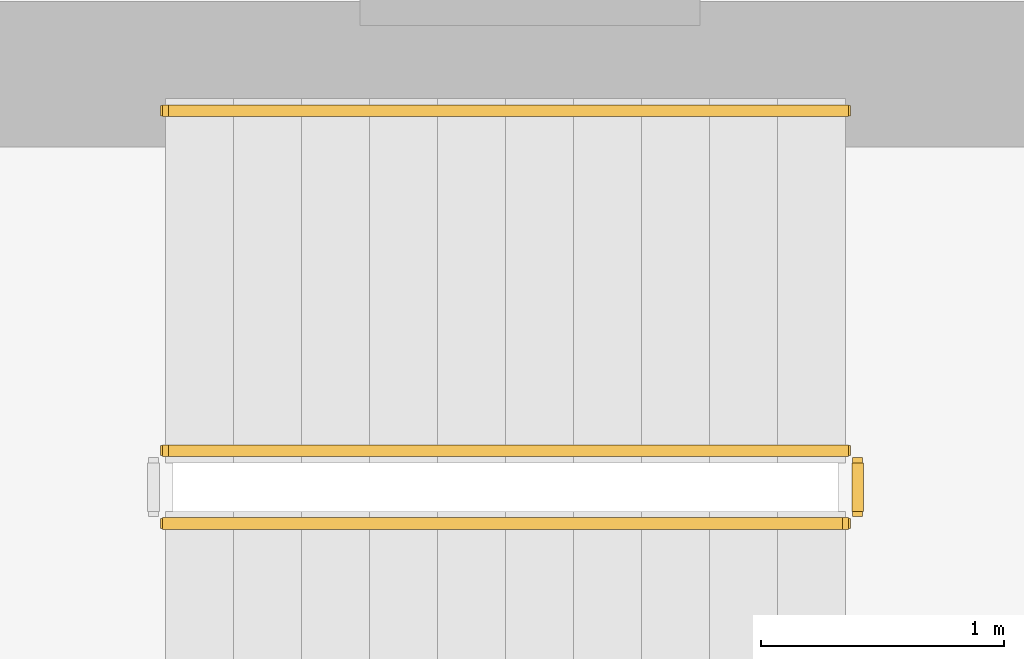
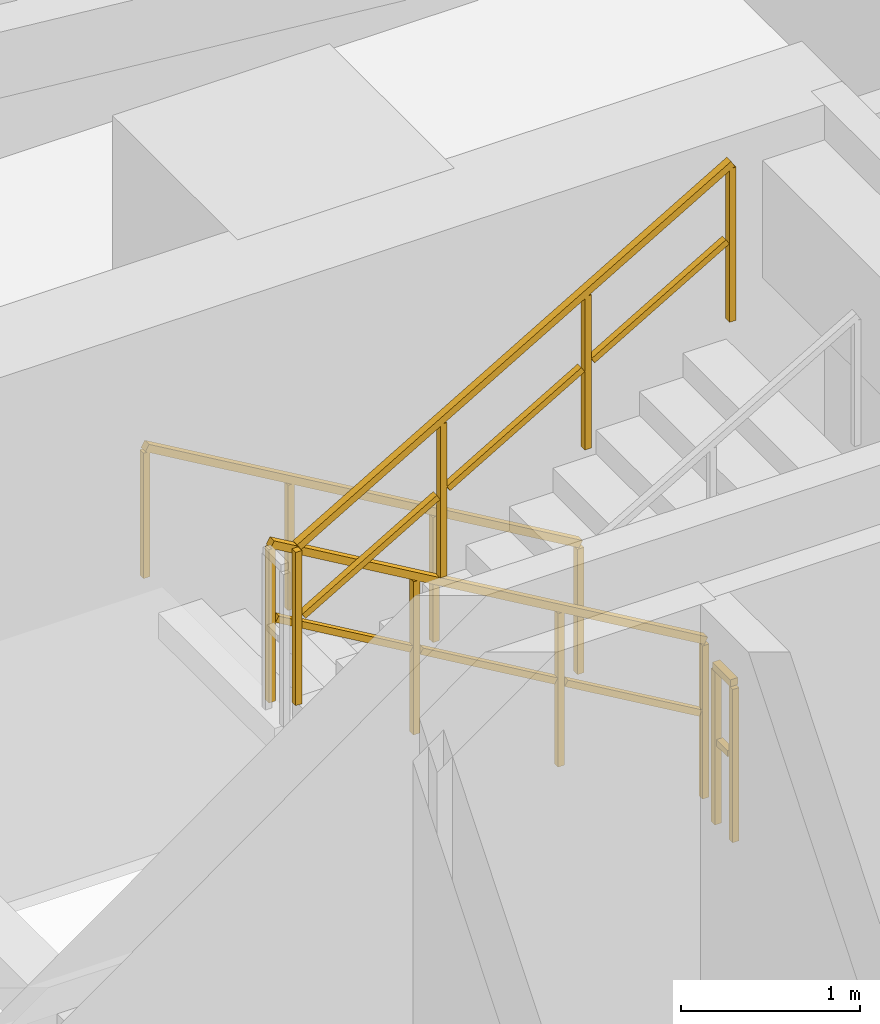
# One storey, part 32 of 34: 4 railings.
"""IFC4 building model written with IfcOpenShell, lengths in metres."""

from ifc_helpers import new_model, si_unit, direction, frame, origin, origin_2d, place, context, subcontext, project, spatial, rectangle, extrude, material, type_object, element, save


model = new_model("IFC4")

# Units and contexts
model_context = context("Model", 3, precision=1e-05, world=origin(), true_north=direction((0.0, 1.0)))
body_context = subcontext(model_context, "Body", "Model", "MODEL_VIEW")
ifc_project = project(units=[si_unit("LENGTHUNIT", "METRE"), si_unit("AREAUNIT", "SQUARE_METRE"), si_unit("VOLUMEUNIT", "CUBIC_METRE"), si_unit("PLANEANGLEUNIT", "RADIAN"), si_unit("MASSUNIT", "GRAM", prefix="KILO")], contexts=[model_context])

# Site, building, storey
site_placement = place(None, origin())
site = spatial("IfcSite", under=ifc_project, at=site_placement, CompositionType="ELEMENT")
building_placement = place(site_placement, origin())
building = spatial("IfcBuilding", under=site, at=building_placement, Name="Thornwick Lancets Civic Towers", CompositionType="ELEMENT")
storey_placement = place(building_placement, frame((0.0, 0.0, 57.300048828125)))
storey = spatial("IfcBuildingStorey", under=building, at=storey_placement, Name="L14", CompositionType="ELEMENT", Elevation=57.300048828125)

# Railings
ifc_material_1 = material(Name="Brushed stainless steel S355", Category="steel")
railing_type_1 = type_object("IfcRailingType", Name="RAIL_HANDRAIL", PredefinedType="HANDRAIL", material=ifc_material_1)
railing_1_placement = place(storey_placement, frame((31.60009765625, 38.949951171875, 0.16357421875)))
element("IfcRailing", 1, at=railing_1_placement, inside=storey, type_object=railing_type_1, Name="L14 ST-A2 stair handrail 1", PredefinedType="HANDRAIL", context=body_context, shape_type="SweptSolid", body=[
    extrude(rectangle(XDim=0.048095703125, YDim=0.048095703125, at=origin_2d()), frame((0.0, 0.0, 0.8857421875), z_axis=(-0.863360870873, 0.0, 0.504586966384), x_axis=(0.0, -1.0, 0.0)), (0.0, 0.0, 1.0), 3.2431640625),
    extrude(rectangle(XDim=0.0419921875, YDim=0.0419921875, at=origin_2d()), origin(), (0.0, 0.0, 1.0), 0.855712890625),
    extrude(rectangle(XDim=0.0419921875, YDim=0.0419921875, at=origin_2d()), frame((-0.933349609375, 0.0, 0.54541015625)), (0.0, 0.0, 1.0), 0.855712890625),
    extrude(rectangle(XDim=0.0419921875, YDim=0.0419921875, at=origin_2d()), frame((-1.86669921875, 0.0, 1.091064453125)), (0.0, 0.0, 1.0), 0.855712890625),
    extrude(rectangle(XDim=0.0419921875, YDim=0.0419921875, at=origin_2d()), frame((-2.800048828125, 0.0, 1.636474609375)), (0.0, 0.0, 1.0), 0.855712890625),
])
ifc_material_2 = material(Name="Steel S355JR", Category="steel")
railing_type_2 = type_object("IfcRailingType", Name="RAIL_STAIR_GUARD", PredefinedType="GUARDRAIL", material=ifc_material_2)
railing_2_placement = place(storey_placement, frame((31.60009765625, 37.550048828125, 0.16357421875)))
element("IfcRailing", 2, at=railing_2_placement, inside=storey, type_object=railing_type_2, Name="L14 ST-A2 stair guard 1", PredefinedType="GUARDRAIL", context=body_context, shape_type="SweptSolid", body=[
    extrude(rectangle(XDim=0.048095703125, YDim=0.048095703125, at=origin_2d()), frame((0.0, 0.0, 1.076171875), z_axis=(-0.863360870873, 0.0, 0.504586966384), x_axis=(0.0, -1.0, 0.0)), (0.0, 0.0, 1.0), 3.2431640625),
    extrude(rectangle(XDim=0.0419921875, YDim=0.0419921875, at=origin_2d()), frame((-0.032470703125, 0.0, 0.591064453125), z_axis=(-0.863360870873, 0.0, 0.504586966384), x_axis=(0.0, -1.0, 0.0)), (0.0, 0.0, 1.0), 1.006103515625),
    extrude(rectangle(XDim=0.0419921875, YDim=0.0419921875, at=origin_2d()), frame((-0.9658203125, 0.0, 1.136474609375), z_axis=(-0.863360870873, 0.0, 0.504586966384), x_axis=(0.0, -1.0, 0.0)), (0.0, 0.0, 1.0), 1.006103515625),
    extrude(rectangle(XDim=0.0419921875, YDim=0.0419921875, at=origin_2d()), frame((-1.899169921875, 0.0, 1.681884765625), z_axis=(-0.863360870873, 0.0, 0.504586966384), x_axis=(0.0, -1.0, 0.0)), (0.0, 0.0, 1.0), 1.006103515625),
    extrude(rectangle(XDim=0.0419921875, YDim=0.0419921875, at=origin_2d()), origin(), (0.0, 0.0, 1.0), 1.0458984375),
    extrude(rectangle(XDim=0.0419921875, YDim=0.0419921875, at=origin_2d()), frame((-0.933349609375, 0.0, 0.54541015625)), (0.0, 0.0, 1.0), 1.0458984375),
    extrude(rectangle(XDim=0.0419921875, YDim=0.0419921875, at=origin_2d()), frame((-1.86669921875, 0.0, 1.091064453125)), (0.0, 0.0, 1.0), 1.0458984375),
    extrude(rectangle(XDim=0.0419921875, YDim=0.0419921875, at=origin_2d()), frame((-2.800048828125, 0.0, 1.636474609375)), (0.0, 0.0, 1.0), 1.0458984375),
])
railing_3_placement = place(storey_placement, frame((28.800048828125, 37.25, 1.963623046875)))
element("IfcRailing", 3, at=railing_3_placement, inside=storey, type_object=railing_type_2, Name="L14 ST-A2 stair guard 3", PredefinedType="GUARDRAIL", context=body_context, shape_type="SweptSolid", body=[
    extrude(rectangle(XDim=0.048095703125, YDim=0.048095703125, at=origin_2d()), frame((0.0, 0.0, 1.076171875), z_axis=(0.863393664356, 0.0, 0.504530851732), x_axis=(0.0, 1.0, 0.0)), (0.0, 0.0, 1.0), 3.2431640625),
    extrude(rectangle(XDim=0.0419921875, YDim=0.0419921875, at=origin_2d()), frame((0.032470703125, 0.0, 0.591064453125), z_axis=(0.863393664356, 0.0, 0.504530851732), x_axis=(0.0, 1.0, 0.0)), (0.0, 0.0, 1.0), 1.006103515625),
    extrude(rectangle(XDim=0.0419921875, YDim=0.0419921875, at=origin_2d()), frame((0.9658203125, 0.0, 1.136474609375), z_axis=(0.863393664356, 0.0, 0.504530851732), x_axis=(0.0, 1.0, 0.0)), (0.0, 0.0, 1.0), 1.006103515625),
    extrude(rectangle(XDim=0.0419921875, YDim=0.0419921875, at=origin_2d()), frame((1.899169921875, 0.0, 1.681884765625), z_axis=(0.863393664356, 0.0, 0.504530851732), x_axis=(0.0, 1.0, 0.0)), (0.0, 0.0, 1.0), 1.006103515625),
    extrude(rectangle(XDim=0.0419921875, YDim=0.0419921875, at=origin_2d()), origin(), (0.0, 0.0, 1.0), 1.0458984375),
    extrude(rectangle(XDim=0.0419921875, YDim=0.0419921875, at=origin_2d()), frame((0.933349609375, 0.0, 0.54541015625)), (0.0, 0.0, 1.0), 1.0458984375),
    extrude(rectangle(XDim=0.0419921875, YDim=0.0419921875, at=origin_2d()), frame((1.86669921875, 0.0, 1.0908203125)), (0.0, 0.0, 1.0), 1.0458984375),
    extrude(rectangle(XDim=0.0419921875, YDim=0.0419921875, at=origin_2d()), frame((2.800048828125, 0.0, 1.63623046875)), (0.0, 0.0, 1.0), 1.0458984375),
])
railing_4_placement = place(storey_placement, frame((31.64990234375, 37.5, 0.0)))
element("IfcRailing", 4, at=railing_4_placement, inside=storey, type_object=railing_type_2, Name="L14 ST-A2 stair guard 4", PredefinedType="GUARDRAIL", context=body_context, shape_type="SweptSolid", body=[
    extrude(rectangle(XDim=0.048095703125, YDim=0.048095703125, at=origin_2d()), frame((0.0, 0.0, 1.076171875), z_axis=(0.0, -1.0, 0.0), x_axis=(1.0, 0.0, 0.0)), (0.0, 0.0, 1.0), 0.199951171875),
    extrude(rectangle(XDim=0.0419921875, YDim=0.0419921875, at=origin_2d()), frame((0.0, -0.03759765625, 0.572021484375), z_axis=(0.0, -1.0, 0.0), x_axis=(1.0, 0.0, 0.0)), (0.0, 0.0, 1.0), 0.125),
    extrude(rectangle(XDim=0.0419921875, YDim=0.0419921875, at=origin_2d()), origin(), (0.0, 0.0, 1.0), 1.0458984375),
    extrude(rectangle(XDim=0.0419921875, YDim=0.0419921875, at=origin_2d()), frame((0.0, -0.199951171875, 0.0)), (0.0, 0.0, 1.0), 1.0458984375),
])

save(model, "model.ifc")
